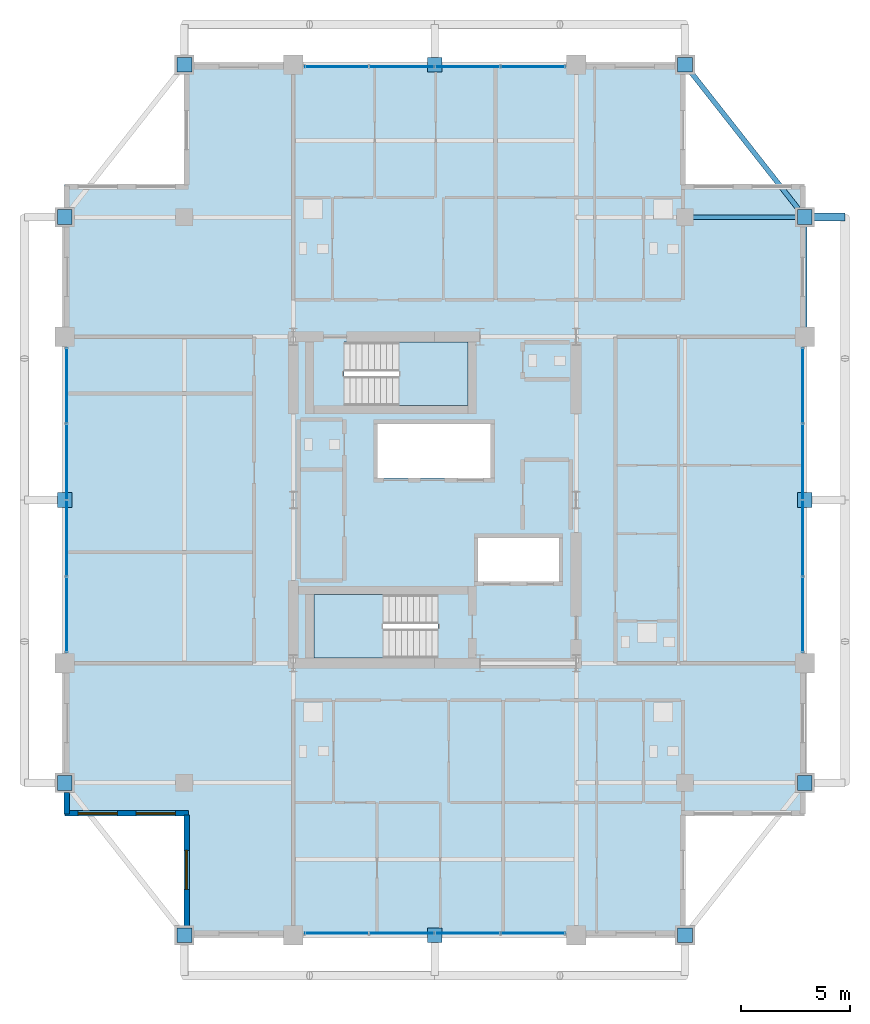
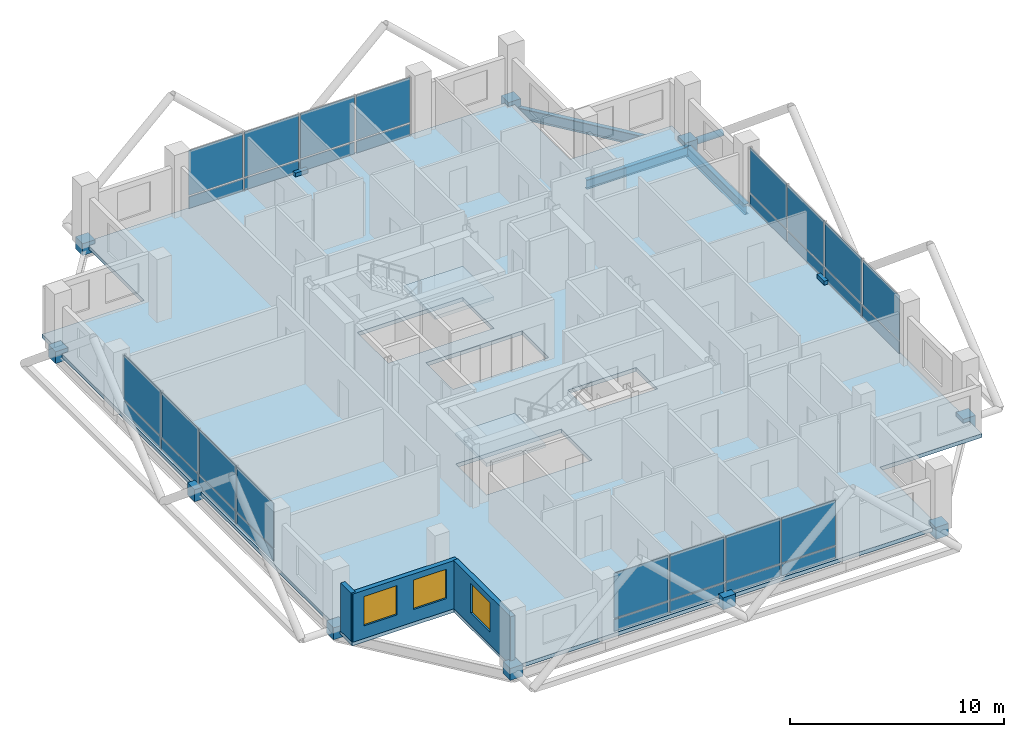
# One storey, part 18 of 24: 44 plates, 3 beams, 3 slabs, 3 walls, 3 windows, 1 member, 3 openings, 6 elements without a shape of their own.
"""IFC4 building model written with IfcOpenShell, lengths in metres."""

from ifc_helpers import new_model, si_unit, direction, frame, frame_2d, origin, origin_2d, place, context, subcontext, project, spatial, polyline, rectangle, hollow_circle, i_section, outline, extrude, material, layer, layer_set, material_profile, profile_set, type_object, element, fill, aggregate, save


model = new_model("IFC4")

# Units and contexts
model_context = context("Model", 3, precision=1e-05, world=origin(), true_north=direction((0.0, 1.0)))
body_context = subcontext(model_context, "Body", "Model", "MODEL_VIEW")
ifc_project = project(units=[si_unit("LENGTHUNIT", "METRE"), si_unit("AREAUNIT", "SQUARE_METRE"), si_unit("VOLUMEUNIT", "CUBIC_METRE"), si_unit("PLANEANGLEUNIT", "RADIAN"), si_unit("MASSUNIT", "GRAM", prefix="KILO")], contexts=[model_context])

# Site, building, storey
site_placement = place(None, origin())
site = spatial("IfcSite", under=ifc_project, at=site_placement, CompositionType="ELEMENT")
building_placement = place(site_placement, origin())
building = spatial("IfcBuilding", under=site, at=building_placement, Name="Barlavira Tower and Art Museum", CompositionType="ELEMENT")
storey_placement = place(building_placement, frame((0.0, 0.0, 240.300048828125)))
storey = spatial("IfcBuildingStorey", under=building, at=storey_placement, Name="L62", CompositionType="ELEMENT", Elevation=240.300048828125)

# Member
ifc_material_1 = material(Name="Steel S355", Category="steel")
ifc_material_profile_1 = material_profile(ifc_material_1, hollow_circle(Radius=0.177734375, WallThickness=0.01611328125, at=origin_2d()), Name="CHS 355.6x16.0")
ifc_profile_set_1 = profile_set([ifc_material_profile_1], Name="Steel S355")
member_type = type_object("IfcMemberType", Name="Pale-Metal Exoskeleton Tie Strut CHS 356x16 Steel S355", PredefinedType="STRUT", material=ifc_profile_set_1)
member_placement = place(storey_placement, frame((18.85009765625, 13.0, -0.1201171875), z_axis=(-1.0, 0.0, 0.0), x_axis=(0.0, -1.0, 0.0)))
element("IfcMember", 1, at=member_placement, inside=storey, type_object=member_type, Name="L62 Exoskeleton Tie Strut E3", PredefinedType="STRUT", context=body_context, shape_type="SweptSolid", body=[
    extrude(hollow_circle(Radius=0.177734375, WallThickness=0.01611328125, at=origin_2d()), origin(), (0.0, 0.0, 1.0), 1.85009765625),
])

# Beams
ifc_material_profile_2 = material_profile(ifc_material_1, i_section(OverallWidth=0.22998046875, OverallDepth=0.616943359375, WebThickness=0.01318359375, FlangeThickness=0.022216796875, at=origin_2d()), Name="W610x140.0")
ifc_profile_set_2 = profile_set([ifc_material_profile_2], Name="Steel S355")
beam_type_1 = type_object("IfcBeamType", Name="Upper Shaft Spandrel Edge Beam W610x140 Steel S355", PredefinedType="SPANDREL", material=ifc_profile_set_2)
beam_1_placement = place(storey_placement, frame((17.0, 7.5, -0.528564453125), z_axis=(0.0, 1.0, 0.0), x_axis=(-1.0, 0.0, 0.0)))
element("IfcBeam", 2, at=beam_1_placement, inside=storey, type_object=beam_type_1, Name="L62 Spandrel 7", PredefinedType="SPANDREL", context=body_context, shape_type="SweptSolid", body=[
    extrude(i_section(OverallWidth=0.22998046875, OverallDepth=0.616943359375, WebThickness=0.01318359375, FlangeThickness=0.022216796875, at=origin_2d()), origin(), (0.0, 0.0, 1.0), 5.5),
])
beam_2_placement = place(storey_placement, frame((17.0, 13.0, -0.528564453125), z_axis=(-0.617821551932, 0.786318338822, 0.0), x_axis=(-0.786318338822, -0.617821551932, 0.0)))
element("IfcBeam", 3, at=beam_2_placement, inside=storey, type_object=beam_type_1, Name="L62 Spandrel 8", PredefinedType="SPANDREL", context=body_context, shape_type="SweptSolid", body=[
    extrude(i_section(OverallWidth=0.22998046875, OverallDepth=0.616943359375, WebThickness=0.01318359375, FlangeThickness=0.022216796875, at=origin_2d()), origin(), (0.0, 0.0, 1.0), 8.90234375),
])
ifc_material_profile_3 = material_profile(ifc_material_1, i_section(OverallWidth=0.2109375, OverallDepth=0.5390625, WebThickness=0.01171875, FlangeThickness=0.018798828125, at=origin_2d()), Name="W530x109.0")
ifc_profile_set_3 = profile_set([ifc_material_profile_3], Name="Steel S355")
beam_type_2 = type_object("IfcBeamType", Name="Zone 3-4 Primary Floor Girder W530x109 Steel S355", PredefinedType="BEAM", material=ifc_profile_set_3)
beam_3_placement = place(storey_placement, frame((11.5, 13.0, -0.489501953125), z_axis=(1.0, 0.0, 0.0), x_axis=(0.0, 1.0, 0.0)))
element("IfcBeam", 4, at=beam_3_placement, inside=storey, type_object=beam_type_2, Name="L62 Girder I-N4", PredefinedType="BEAM", context=body_context, shape_type="SweptSolid", body=[
    extrude(i_section(OverallWidth=0.2109375, OverallDepth=0.5390625, WebThickness=0.01171875, FlangeThickness=0.018798828125, at=origin_2d()), origin(), (0.0, 0.0, 1.0), 5.5),
])

# Curtain wall, plates
ifc_material_2 = material(Name="Low-iron coastal laminated glass", Category="glass")
ifc_layer_1 = layer(ifc_material_2, 0.2099609375, Name="Low-iron coastal laminated glass")
ifc_layer_set_1 = layer_set([ifc_layer_1], Name="Low-iron coastal laminated glass")
curtain_wall_type = type_object("IfcCurtainWallType", Name="Pale-Metal Unitised Curtain Wall Zone 4", PredefinedType="NOTDEFINED", material=ifc_layer_set_1)
curtain_wall_1_placement = place(storey_placement, origin())
curtain_wall_1 = element("IfcCurtainWall", 5, at=curtain_wall_1_placement, inside=storey, type_object=curtain_wall_type, Name="L62 Curtain Wall CW4-L62-S-B2", PredefinedType="NOTDEFINED")
ifc_material_3 = material(Name="Pale anodised aluminium", Category="aluminium")
ifc_layer_2 = layer(ifc_material_3, 0.044921875, Name="Pale anodised aluminium")
ifc_layer_set_2 = layer_set([ifc_layer_2], Name="Pale anodised aluminium")
plate_type_1 = type_object("IfcPlateType", Name="Curtain Wall Pale-Metal Spandrel Panel 45", PredefinedType="CURTAIN_PANEL", material=ifc_layer_set_2)
plate_1_placement = place(storey_placement, frame((-4.5224609375, -19.89990234375, 0.0400390625), z_axis=(0.0, 0.0, 1.0), x_axis=(1.0, 0.0, 0.0)))
plate_1 = element("IfcPlate", 6, at=plate_1_placement, type_object=plate_type_1, Name="CW4-L62-S-B2 Spandrel Panel 0", PredefinedType="CURTAIN_PANEL", context=body_context, shape_type="SweptSolid", body=[
    extrude(rectangle(XDim=2.9150390625, YDim=0.044921875, at=origin_2d()), origin(), (0.0, 0.0, 1.0), 0.6640625),
])
plate_2_placement = place(storey_placement, frame((-1.507568359375, -19.89990234375, 0.0400390625), z_axis=(0.0, 0.0, 1.0), x_axis=(1.0, 0.0, 0.0)))
plate_2 = element("IfcPlate", 7, at=plate_2_placement, type_object=plate_type_1, Name="CW4-L62-S-B2 Spandrel Panel 1", PredefinedType="CURTAIN_PANEL", context=body_context, shape_type="SweptSolid", body=[
    extrude(rectangle(XDim=2.9150390625, YDim=0.044921875, at=origin_2d()), origin(), (0.0, 0.0, 1.0), 0.6640625),
])
plate_3_placement = place(storey_placement, frame((1.507568359375, -19.89990234375, 0.0400390625), z_axis=(0.0, 0.0, 1.0), x_axis=(1.0, 0.0, 0.0)))
plate_3 = element("IfcPlate", 8, at=plate_3_placement, type_object=plate_type_1, Name="CW4-L62-S-B2 Spandrel Panel 2", PredefinedType="CURTAIN_PANEL", context=body_context, shape_type="SweptSolid", body=[
    extrude(rectangle(XDim=2.9150390625, YDim=0.044921875, at=origin_2d()), origin(), (0.0, 0.0, 1.0), 0.6640625),
])
plate_4_placement = place(storey_placement, frame((4.5224609375, -19.89990234375, 0.0400390625), z_axis=(0.0, 0.0, 1.0), x_axis=(1.0, 0.0, 0.0)))
plate_4 = element("IfcPlate", 9, at=plate_4_placement, type_object=plate_type_1, Name="CW4-L62-S-B2 Spandrel Panel 3", PredefinedType="CURTAIN_PANEL", context=body_context, shape_type="SweptSolid", body=[
    extrude(rectangle(XDim=2.9150390625, YDim=0.044921875, at=origin_2d()), origin(), (0.0, 0.0, 1.0), 0.6640625),
])

curtain_wall_2_placement = place(storey_placement, origin())
curtain_wall_2 = element("IfcCurtainWall", 10, at=curtain_wall_2_placement, inside=storey, type_object=curtain_wall_type, Name="L62 Curtain Wall CW4-L62-N-B2", PredefinedType="NOTDEFINED")
plate_5_placement = place(storey_placement, frame((4.5224609375, 19.89990234375, 0.0400390625), z_axis=(0.0, 0.0, 1.0), x_axis=(-1.0, 0.0, 0.0)))
plate_5 = element("IfcPlate", 11, at=plate_5_placement, type_object=plate_type_1, Name="CW4-L62-N-B2 Spandrel Panel 0", PredefinedType="CURTAIN_PANEL", context=body_context, shape_type="SweptSolid", body=[
    extrude(rectangle(XDim=2.9150390625, YDim=0.044921875, at=origin_2d()), origin(), (0.0, 0.0, 1.0), 0.6640625),
])
plate_6_placement = place(storey_placement, frame((1.507568359375, 19.89990234375, 0.0400390625), z_axis=(0.0, 0.0, 1.0), x_axis=(-1.0, 0.0, 0.0)))
plate_6 = element("IfcPlate", 12, at=plate_6_placement, type_object=plate_type_1, Name="CW4-L62-N-B2 Spandrel Panel 1", PredefinedType="CURTAIN_PANEL", context=body_context, shape_type="SweptSolid", body=[
    extrude(rectangle(XDim=2.9150390625, YDim=0.044921875, at=origin_2d()), origin(), (0.0, 0.0, 1.0), 0.6640625),
])
plate_7_placement = place(storey_placement, frame((-1.507568359375, 19.89990234375, 0.0400390625), z_axis=(0.0, 0.0, 1.0), x_axis=(-1.0, 0.0, 0.0)))
plate_7 = element("IfcPlate", 13, at=plate_7_placement, type_object=plate_type_1, Name="CW4-L62-N-B2 Spandrel Panel 2", PredefinedType="CURTAIN_PANEL", context=body_context, shape_type="SweptSolid", body=[
    extrude(rectangle(XDim=2.9150390625, YDim=0.044921875, at=origin_2d()), origin(), (0.0, 0.0, 1.0), 0.6640625),
])
plate_8_placement = place(storey_placement, frame((-4.5224609375, 19.89990234375, 0.0400390625), z_axis=(0.0, 0.0, 1.0), x_axis=(-1.0, 0.0, 0.0)))
plate_8 = element("IfcPlate", 14, at=plate_8_placement, type_object=plate_type_1, Name="CW4-L62-N-B2 Spandrel Panel 3", PredefinedType="CURTAIN_PANEL", context=body_context, shape_type="SweptSolid", body=[
    extrude(rectangle(XDim=2.9150390625, YDim=0.044921875, at=origin_2d()), origin(), (0.0, 0.0, 1.0), 0.6640625),
])

curtain_wall_3_placement = place(storey_placement, origin())
curtain_wall_3 = element("IfcCurtainWall", 15, at=curtain_wall_3_placement, inside=storey, type_object=curtain_wall_type, Name="L62 Curtain Wall CW4-L62-W-B3", PredefinedType="NOTDEFINED")
plate_9_placement = place(storey_placement, frame((-16.89990234375, 5.2724609375, 0.0400390625), z_axis=(0.0, 0.0, 1.0), x_axis=(0.0, -1.0, 0.0)))
plate_9 = element("IfcPlate", 16, at=plate_9_placement, type_object=plate_type_1, Name="CW4-L62-W-B3 Spandrel Panel 0", PredefinedType="CURTAIN_PANEL", context=body_context, shape_type="SweptSolid", body=[
    extrude(rectangle(XDim=3.4150390625, YDim=0.044921875, at=origin_2d()), origin(), (0.0, 0.0, 1.0), 0.6640625),
])
plate_10_placement = place(storey_placement, frame((-16.89990234375, 1.757568359375, 0.0400390625), z_axis=(0.0, 0.0, 1.0), x_axis=(0.0, -1.0, 0.0)))
plate_10 = element("IfcPlate", 17, at=plate_10_placement, type_object=plate_type_1, Name="CW4-L62-W-B3 Spandrel Panel 1", PredefinedType="CURTAIN_PANEL", context=body_context, shape_type="SweptSolid", body=[
    extrude(rectangle(XDim=3.4150390625, YDim=0.044921875, at=origin_2d()), origin(), (0.0, 0.0, 1.0), 0.6640625),
])
plate_11_placement = place(storey_placement, frame((-16.89990234375, -1.757568359375, 0.0400390625), z_axis=(0.0, 0.0, 1.0), x_axis=(0.0, -1.0, 0.0)))
plate_11 = element("IfcPlate", 18, at=plate_11_placement, type_object=plate_type_1, Name="CW4-L62-W-B3 Spandrel Panel 2", PredefinedType="CURTAIN_PANEL", context=body_context, shape_type="SweptSolid", body=[
    extrude(rectangle(XDim=3.4150390625, YDim=0.044921875, at=origin_2d()), origin(), (0.0, 0.0, 1.0), 0.6640625),
])
plate_12_placement = place(storey_placement, frame((-16.89990234375, -5.2724609375, 0.0400390625), z_axis=(0.0, 0.0, 1.0), x_axis=(0.0, -1.0, 0.0)))
plate_12 = element("IfcPlate", 19, at=plate_12_placement, type_object=plate_type_1, Name="CW4-L62-W-B3 Spandrel Panel 3", PredefinedType="CURTAIN_PANEL", context=body_context, shape_type="SweptSolid", body=[
    extrude(rectangle(XDim=3.4150390625, YDim=0.044921875, at=origin_2d()), origin(), (0.0, 0.0, 1.0), 0.6640625),
])

curtain_wall_4_placement = place(storey_placement, origin())
curtain_wall_4 = element("IfcCurtainWall", 20, at=curtain_wall_4_placement, inside=storey, type_object=curtain_wall_type, Name="L62 Curtain Wall CW4-L62-E-B3", PredefinedType="NOTDEFINED")
plate_13_placement = place(storey_placement, frame((16.89990234375, -5.2724609375, 0.0400390625), z_axis=(0.0, 0.0, 1.0), x_axis=(0.0, 1.0, 0.0)))
plate_13 = element("IfcPlate", 21, at=plate_13_placement, type_object=plate_type_1, Name="CW4-L62-E-B3 Spandrel Panel 0", PredefinedType="CURTAIN_PANEL", context=body_context, shape_type="SweptSolid", body=[
    extrude(rectangle(XDim=3.4150390625, YDim=0.044921875, at=origin_2d()), origin(), (0.0, 0.0, 1.0), 0.6640625),
])
plate_14_placement = place(storey_placement, frame((16.89990234375, -1.757568359375, 0.0400390625), z_axis=(0.0, 0.0, 1.0), x_axis=(0.0, 1.0, 0.0)))
plate_14 = element("IfcPlate", 22, at=plate_14_placement, type_object=plate_type_1, Name="CW4-L62-E-B3 Spandrel Panel 1", PredefinedType="CURTAIN_PANEL", context=body_context, shape_type="SweptSolid", body=[
    extrude(rectangle(XDim=3.4150390625, YDim=0.044921875, at=origin_2d()), origin(), (0.0, 0.0, 1.0), 0.6640625),
])
plate_15_placement = place(storey_placement, frame((16.89990234375, 1.757568359375, 0.0400390625), z_axis=(0.0, 0.0, 1.0), x_axis=(0.0, 1.0, 0.0)))
plate_15 = element("IfcPlate", 23, at=plate_15_placement, type_object=plate_type_1, Name="CW4-L62-E-B3 Spandrel Panel 2", PredefinedType="CURTAIN_PANEL", context=body_context, shape_type="SweptSolid", body=[
    extrude(rectangle(XDim=3.4150390625, YDim=0.044921875, at=origin_2d()), origin(), (0.0, 0.0, 1.0), 0.6640625),
])
plate_16_placement = place(storey_placement, frame((16.89990234375, 5.2724609375, 0.0400390625), z_axis=(0.0, 0.0, 1.0), x_axis=(0.0, 1.0, 0.0)))
plate_16 = element("IfcPlate", 24, at=plate_16_placement, type_object=plate_type_1, Name="CW4-L62-E-B3 Spandrel Panel 3", PredefinedType="CURTAIN_PANEL", context=body_context, shape_type="SweptSolid", body=[
    extrude(rectangle(XDim=3.4150390625, YDim=0.044921875, at=origin_2d()), origin(), (0.0, 0.0, 1.0), 0.6640625),
])

# Plate
ifc_layer_3 = layer(ifc_material_2, 0.028076171875, Name="Low-iron coastal laminated glass")
ifc_layer_set_3 = layer_set([ifc_layer_3], Name="Low-iron coastal laminated glass")
plate_type_2 = type_object("IfcPlateType", Name="Curtain Wall Vision Glazing Panel 28", PredefinedType="CURTAIN_PANEL", material=ifc_layer_set_3)
plate_17_placement = place(storey_placement, frame((-4.5224609375, -19.89990234375, 0.7841796875), z_axis=(0.0, 0.0, 1.0), x_axis=(1.0, 0.0, 0.0)))
plate_17 = element("IfcPlate", 25, at=plate_17_placement, type_object=plate_type_2, Name="CW4-L62-S-B2 Vision Glass Panel 0", PredefinedType="CURTAIN_PANEL", context=body_context, shape_type="SweptSolid", body=[
    extrude(rectangle(XDim=2.9150390625, YDim=0.028076171875, at=origin_2d()), origin(), (0.0, 0.0, 1.0), 2.555908203125),
])

plate_18_placement = place(storey_placement, frame((-1.507568359375, -19.89990234375, 0.7841796875), z_axis=(0.0, 0.0, 1.0), x_axis=(1.0, 0.0, 0.0)))
plate_18 = element("IfcPlate", 26, at=plate_18_placement, type_object=plate_type_2, Name="CW4-L62-S-B2 Vision Glass Panel 1", PredefinedType="CURTAIN_PANEL", context=body_context, shape_type="SweptSolid", body=[
    extrude(rectangle(XDim=2.9150390625, YDim=0.028076171875, at=origin_2d()), origin(), (0.0, 0.0, 1.0), 2.555908203125),
])

plate_19_placement = place(storey_placement, frame((1.507568359375, -19.89990234375, 0.7841796875), z_axis=(0.0, 0.0, 1.0), x_axis=(1.0, 0.0, 0.0)))
plate_19 = element("IfcPlate", 27, at=plate_19_placement, type_object=plate_type_2, Name="CW4-L62-S-B2 Vision Glass Panel 2", PredefinedType="CURTAIN_PANEL", context=body_context, shape_type="SweptSolid", body=[
    extrude(rectangle(XDim=2.9150390625, YDim=0.028076171875, at=origin_2d()), origin(), (0.0, 0.0, 1.0), 2.555908203125),
])

plate_20_placement = place(storey_placement, frame((4.5224609375, -19.89990234375, 0.7841796875), z_axis=(0.0, 0.0, 1.0), x_axis=(1.0, 0.0, 0.0)))
plate_20 = element("IfcPlate", 28, at=plate_20_placement, type_object=plate_type_2, Name="CW4-L62-S-B2 Vision Glass Panel 3", PredefinedType="CURTAIN_PANEL", context=body_context, shape_type="SweptSolid", body=[
    extrude(rectangle(XDim=2.9150390625, YDim=0.028076171875, at=origin_2d()), origin(), (0.0, 0.0, 1.0), 2.555908203125),
])

aggregate(curtain_wall_1, [plate_1, plate_17, plate_2, plate_18, plate_3, plate_19, plate_4, plate_20])

plate_21_placement = place(storey_placement, frame((4.5224609375, 19.89990234375, 0.7841796875), z_axis=(0.0, 0.0, 1.0), x_axis=(-1.0, 0.0, 0.0)))
plate_21 = element("IfcPlate", 29, at=plate_21_placement, type_object=plate_type_2, Name="CW4-L62-N-B2 Vision Glass Panel 0", PredefinedType="CURTAIN_PANEL", context=body_context, shape_type="SweptSolid", body=[
    extrude(rectangle(XDim=2.9150390625, YDim=0.028076171875, at=origin_2d()), origin(), (0.0, 0.0, 1.0), 2.555908203125),
])

plate_22_placement = place(storey_placement, frame((1.507568359375, 19.89990234375, 0.7841796875), z_axis=(0.0, 0.0, 1.0), x_axis=(-1.0, 0.0, 0.0)))
plate_22 = element("IfcPlate", 30, at=plate_22_placement, type_object=plate_type_2, Name="CW4-L62-N-B2 Vision Glass Panel 1", PredefinedType="CURTAIN_PANEL", context=body_context, shape_type="SweptSolid", body=[
    extrude(rectangle(XDim=2.9150390625, YDim=0.028076171875, at=origin_2d()), origin(), (0.0, 0.0, 1.0), 2.555908203125),
])

plate_23_placement = place(storey_placement, frame((-1.507568359375, 19.89990234375, 0.7841796875), z_axis=(0.0, 0.0, 1.0), x_axis=(-1.0, 0.0, 0.0)))
plate_23 = element("IfcPlate", 31, at=plate_23_placement, type_object=plate_type_2, Name="CW4-L62-N-B2 Vision Glass Panel 2", PredefinedType="CURTAIN_PANEL", context=body_context, shape_type="SweptSolid", body=[
    extrude(rectangle(XDim=2.9150390625, YDim=0.028076171875, at=origin_2d()), origin(), (0.0, 0.0, 1.0), 2.555908203125),
])

plate_24_placement = place(storey_placement, frame((-4.5224609375, 19.89990234375, 0.7841796875), z_axis=(0.0, 0.0, 1.0), x_axis=(-1.0, 0.0, 0.0)))
plate_24 = element("IfcPlate", 32, at=plate_24_placement, type_object=plate_type_2, Name="CW4-L62-N-B2 Vision Glass Panel 3", PredefinedType="CURTAIN_PANEL", context=body_context, shape_type="SweptSolid", body=[
    extrude(rectangle(XDim=2.9150390625, YDim=0.028076171875, at=origin_2d()), origin(), (0.0, 0.0, 1.0), 2.555908203125),
])

aggregate(curtain_wall_2, [plate_5, plate_21, plate_6, plate_22, plate_7, plate_23, plate_8, plate_24])

plate_25_placement = place(storey_placement, frame((-16.89990234375, 5.2724609375, 0.7841796875), z_axis=(0.0, 0.0, 1.0), x_axis=(0.0, -1.0, 0.0)))
plate_25 = element("IfcPlate", 33, at=plate_25_placement, type_object=plate_type_2, Name="CW4-L62-W-B3 Vision Glass Panel 0", PredefinedType="CURTAIN_PANEL", context=body_context, shape_type="SweptSolid", body=[
    extrude(rectangle(XDim=3.4150390625, YDim=0.028076171875, at=origin_2d()), origin(), (0.0, 0.0, 1.0), 2.555908203125),
])

plate_26_placement = place(storey_placement, frame((-16.89990234375, 1.757568359375, 0.7841796875), z_axis=(0.0, 0.0, 1.0), x_axis=(0.0, -1.0, 0.0)))
plate_26 = element("IfcPlate", 34, at=plate_26_placement, type_object=plate_type_2, Name="CW4-L62-W-B3 Vision Glass Panel 1", PredefinedType="CURTAIN_PANEL", context=body_context, shape_type="SweptSolid", body=[
    extrude(rectangle(XDim=3.4150390625, YDim=0.028076171875, at=origin_2d()), origin(), (0.0, 0.0, 1.0), 2.555908203125),
])

plate_27_placement = place(storey_placement, frame((-16.89990234375, -1.757568359375, 0.7841796875), z_axis=(0.0, 0.0, 1.0), x_axis=(0.0, -1.0, 0.0)))
plate_27 = element("IfcPlate", 35, at=plate_27_placement, type_object=plate_type_2, Name="CW4-L62-W-B3 Vision Glass Panel 2", PredefinedType="CURTAIN_PANEL", context=body_context, shape_type="SweptSolid", body=[
    extrude(rectangle(XDim=3.4150390625, YDim=0.028076171875, at=origin_2d()), origin(), (0.0, 0.0, 1.0), 2.555908203125),
])

plate_28_placement = place(storey_placement, frame((-16.89990234375, -5.2724609375, 0.7841796875), z_axis=(0.0, 0.0, 1.0), x_axis=(0.0, -1.0, 0.0)))
plate_28 = element("IfcPlate", 36, at=plate_28_placement, type_object=plate_type_2, Name="CW4-L62-W-B3 Vision Glass Panel 3", PredefinedType="CURTAIN_PANEL", context=body_context, shape_type="SweptSolid", body=[
    extrude(rectangle(XDim=3.4150390625, YDim=0.028076171875, at=origin_2d()), origin(), (0.0, 0.0, 1.0), 2.555908203125),
])

aggregate(curtain_wall_3, [plate_9, plate_25, plate_10, plate_26, plate_11, plate_27, plate_12, plate_28])

plate_29_placement = place(storey_placement, frame((16.89990234375, -5.2724609375, 0.7841796875), z_axis=(0.0, 0.0, 1.0), x_axis=(0.0, 1.0, 0.0)))
plate_29 = element("IfcPlate", 37, at=plate_29_placement, type_object=plate_type_2, Name="CW4-L62-E-B3 Vision Glass Panel 0", PredefinedType="CURTAIN_PANEL", context=body_context, shape_type="SweptSolid", body=[
    extrude(rectangle(XDim=3.4150390625, YDim=0.028076171875, at=origin_2d()), origin(), (0.0, 0.0, 1.0), 2.555908203125),
])

plate_30_placement = place(storey_placement, frame((16.89990234375, -1.757568359375, 0.7841796875), z_axis=(0.0, 0.0, 1.0), x_axis=(0.0, 1.0, 0.0)))
plate_30 = element("IfcPlate", 38, at=plate_30_placement, type_object=plate_type_2, Name="CW4-L62-E-B3 Vision Glass Panel 1", PredefinedType="CURTAIN_PANEL", context=body_context, shape_type="SweptSolid", body=[
    extrude(rectangle(XDim=3.4150390625, YDim=0.028076171875, at=origin_2d()), origin(), (0.0, 0.0, 1.0), 2.555908203125),
])

plate_31_placement = place(storey_placement, frame((16.89990234375, 1.757568359375, 0.7841796875), z_axis=(0.0, 0.0, 1.0), x_axis=(0.0, 1.0, 0.0)))
plate_31 = element("IfcPlate", 39, at=plate_31_placement, type_object=plate_type_2, Name="CW4-L62-E-B3 Vision Glass Panel 2", PredefinedType="CURTAIN_PANEL", context=body_context, shape_type="SweptSolid", body=[
    extrude(rectangle(XDim=3.4150390625, YDim=0.028076171875, at=origin_2d()), origin(), (0.0, 0.0, 1.0), 2.555908203125),
])

plate_32_placement = place(storey_placement, frame((16.89990234375, 5.2724609375, 0.7841796875), z_axis=(0.0, 0.0, 1.0), x_axis=(0.0, 1.0, 0.0)))
plate_32 = element("IfcPlate", 40, at=plate_32_placement, type_object=plate_type_2, Name="CW4-L62-E-B3 Vision Glass Panel 3", PredefinedType="CURTAIN_PANEL", context=body_context, shape_type="SweptSolid", body=[
    extrude(rectangle(XDim=3.4150390625, YDim=0.028076171875, at=origin_2d()), origin(), (0.0, 0.0, 1.0), 2.555908203125),
])

aggregate(curtain_wall_4, [plate_13, plate_29, plate_14, plate_30, plate_15, plate_31, plate_16, plate_32])

# Plates
ifc_layer_4 = layer(ifc_material_1, 0.679931640625, Name="Steel S355")
ifc_layer_set_4 = layer_set([ifc_layer_4], Name="Steel S355")
plate_type_3 = type_object("IfcPlateType", Name="Exoskeleton Tie-Back Solid Cap Plate Assembly Type 5 Steel S355", PredefinedType="USERDEFINED", material=ifc_layer_set_4)
for number, where, z_axis, x_axis, name in (
    (41, (-11.5, -20.0, -0.4599609375), (0.0, 0.0, 1.0), (1.0, 0.0, 0.0), "Slab Edge Tie Cap Plate S1 ND-L62-0706"),
    (42, (0.0, -20.0, -0.4599609375), (0.0, 0.0, 1.0), (1.0, 0.0, 0.0), "Slab Edge Tie Cap Plate S2 ND-L62-0707"),
    (43, (11.5, -20.0, -0.4599609375), (0.0, 0.0, 1.0), (1.0, 0.0, 0.0), "Slab Edge Tie Cap Plate S3 ND-L62-0708"),
    (44, (-11.5, 20.0, -0.4599609375), (0.0, 0.0, 1.0), (1.0, 0.0, 0.0), "Slab Edge Tie Cap Plate N1 ND-L62-0714"),
    (45, (0.0, 20.0, -0.4599609375), (0.0, 0.0, 1.0), (1.0, 0.0, 0.0), "Slab Edge Tie Cap Plate N2 ND-L62-0715"),
    (46, (11.5, 20.0, -0.4599609375), (0.0, 0.0, 1.0), (1.0, 0.0, 0.0), "Slab Edge Tie Cap Plate N3 ND-L62-0716"),
    (47, (-17.0, -13.0, -0.4599609375), (0.0, 0.0, 1.0), (1.0, 0.0, 0.0), "Slab Edge Tie Cap Plate W1 ND-L62-0722"),
    (48, (-17.0, 0.0, -0.4599609375), (0.0, 0.0, 1.0), (1.0, 0.0, 0.0), "Slab Edge Tie Cap Plate W2 ND-L62-0723"),
    (49, (-17.0, 13.0, -0.4599609375), (0.0, 0.0, 1.0), (1.0, 0.0, 0.0), "Slab Edge Tie Cap Plate W3 ND-L62-0724"),
    (50, (17.0, -13.0, -0.4599609375), (0.0, 0.0, 1.0), (1.0, 0.0, 0.0), "Slab Edge Tie Cap Plate E1 ND-L62-0730"),
    (51, (17.0, 0.0, -0.4599609375), (0.0, 0.0, 1.0), (1.0, 0.0, 0.0), "Slab Edge Tie Cap Plate E2 ND-L62-0731"),
    (52, (17.0, 13.0, -0.4599609375), (0.0, 0.0, 1.0), (1.0, 0.0, 0.0), "Slab Edge Tie Cap Plate E3 ND-L62-0732"),
):
    element("IfcPlate", number, at=place(storey_placement, frame(where, z_axis=z_axis, x_axis=x_axis)), inside=storey, type_object=plate_type_3, Name=name, ObjectType="FLANGE_PLATE", PredefinedType="USERDEFINED", context=body_context, shape_type="SweptSolid", body=[
        extrude(rectangle(XDim=0.679931640625, YDim=0.679931640625, at=origin_2d()), origin(), (0.0, 0.0, 1.0), 0.679931640625),
    ])

# Stair, slab
ifc_material_4 = material(Name="Concrete C45", Category="concrete")
stair_type_1 = type_object("IfcStairType", Name="Tower North Dog-Leg Exit Stair Assembly Concrete C45", PredefinedType="TWO_QUARTER_TURN_STAIR", material=ifc_material_4)
stair_1_placement = place(storey_placement, origin())
stair_1 = element("IfcStair", 53, at=stair_1_placement, inside=storey, type_object=stair_type_1, Name="L62 Tower North Exit Stair ST-T2", PredefinedType="TWO_QUARTER_TURN_STAIR")
ifc_layer_5 = layer(ifc_material_4, 0.199951171875, Name="Concrete C45")
ifc_layer_set_5 = layer_set([ifc_layer_5], Name="Concrete C45")
slab_type_1 = type_object("IfcSlabType", Name="Tower North Dog-Leg Exit Stair Half-Landing Slab 200 Concrete C45", PredefinedType="LANDING", material=ifc_layer_set_5)
slab_1_placement = place(storey_placement, frame((0.0, 0.0, 1.599853515625)))
slab_1 = element("IfcSlab", 54, at=slab_1_placement, type_object=slab_type_1, Name="ST-T2 landing 1", PredefinedType="LANDING", context=body_context, shape_type="SweptSolid", body=[
    extrude(outline(polyline([(-1.64990234375, 4.35009765625), (1.530029296875, 4.35009765625), (1.530029296875, 7.25), (-1.64990234375, 7.25), (-1.64990234375, 4.35009765625)])), origin(), (0.0, 0.0, 1.0), 0.2001953125),
])
aggregate(stair_1, [slab_1])

stair_type_2 = type_object("IfcStairType", Name="Tower South Dog-Leg Exit Stair Assembly Concrete C45", PredefinedType="TWO_QUARTER_TURN_STAIR", material=ifc_material_4)
stair_2_placement = place(storey_placement, origin())
stair_2 = element("IfcStair", 55, at=stair_2_placement, inside=storey, type_object=stair_type_2, Name="L62 Tower South Exit Stair ST-T1", PredefinedType="TWO_QUARTER_TURN_STAIR")
ifc_layer_6 = layer(ifc_material_4, 0.199951171875, Name="Concrete C45")
ifc_layer_set_6 = layer_set([ifc_layer_6], Name="Concrete C45")
slab_type_2 = type_object("IfcSlabType", Name="Tower South Dog-Leg Exit Stair Half-Landing Slab 200 Concrete C45", PredefinedType="LANDING", material=ifc_layer_set_6)
slab_2_placement = place(storey_placement, frame((0.0, 0.0, 1.599853515625)))
slab_2 = element("IfcSlab", 56, at=slab_2_placement, type_object=slab_type_2, Name="ST-T1 landing 1", PredefinedType="LANDING", context=body_context, shape_type="SweptSolid", body=[
    extrude(outline(polyline([(-2.3701171875, -4.35009765625), (-5.550048828125, -4.35009765625), (-5.550048828125, -7.25), (-2.3701171875, -7.25), (-2.3701171875, -4.35009765625)])), origin(), (0.0, 0.0, 1.0), 0.2001953125),
])
aggregate(stair_2, [slab_2])

# Slab
ifc_material_5 = material(Name="Concrete C50", Category="concrete")
ifc_layer_7 = layer(ifc_material_5, 0.18994140625, Name="Concrete C50")
ifc_layer_set_7 = layer_set([ifc_layer_7], Name="Concrete C50")
slab_type_3 = type_object("IfcSlabType", Name="Zone 4 Residential Composite Slab 190 Concrete C50", PredefinedType="FLOOR", material=ifc_layer_set_7)
slab_3_placement = place(storey_placement, frame((0.0, 0.0, -0.219970703125)))
element("IfcSlab", 57, at=slab_3_placement, inside=storey, type_object=slab_type_3, Name="L62 Tower Floor Slab", PredefinedType="FLOOR", context=body_context, shape_type="SweptSolid", body=[
    extrude(outline(polyline([(-11.5, -20.0), (11.5, -20.0), (11.5, -14.5), (17.0, -14.5), (17.0, 14.5), (11.5, 14.5), (11.5, 20.0), (-11.5, 20.0), (-11.5, 14.5), (-17.0, 14.5), (-17.0, -14.5), (-11.5, -14.5), (-11.5, -20.0)]), holes=[polyline([(0.14990234375, -4.35009765625), (-5.550048828125, -4.35009765625), (-5.550048828125, -7.25), (0.14990234375, -7.25), (0.14990234375, -4.35009765625)]), polyline([(-4.169921875, 4.35009765625), (1.530029296875, 4.35009765625), (1.530029296875, 7.25), (-4.169921875, 7.25), (-4.169921875, 4.35009765625)]), polyline([(-2.6201171875, 1.0), (2.56005859375, 1.0), (2.56005859375, 3.5), (-2.6201171875, 3.5), (-2.6201171875, 1.0)]), polyline([(2.0, -3.75), (5.699951171875, -3.75), (5.699951171875, -1.75), (2.0, -1.75), (2.0, -3.75)])]), origin(), (0.0, 0.0, 1.0), 0.219970703125),
])

# Wall
ifc_material_6 = material(Name="Precast concrete C40", Category="concrete")
ifc_layer_8 = layer(ifc_material_6, 0.25, Name="Precast concrete C40")
ifc_layer_set_8 = layer_set([ifc_layer_8], Name="Precast concrete C40")
wall_type = type_object("IfcWallType", Name="Notched Corner Spandrel Wall 250 Precast Concrete C40", PredefinedType="SOLIDWALL", material=ifc_layer_set_8)
wall_1_placement = place(storey_placement, frame((-16.89990234375, -13.445068359375, 0.0), z_axis=(0.0, 0.0, 1.0), x_axis=(0.0, -1.0, 0.0)))
element("IfcWall", 58, at=wall_1_placement, inside=storey, type_object=wall_type, Name="L62 Coastal Facade Pier Wall CW4-L62-W-5", PredefinedType="SOLIDWALL", context=body_context, shape_type="SweptSolid", body=[
    extrude(rectangle(XDim=0.97998046875, YDim=0.25, at=frame_2d((0.489990234375, 0.0))), origin(), (0.0, 0.0, 1.0), 2.748046875),
])

# Wall, openings, windows
wall_2_placement = place(storey_placement, frame((-16.97998046875, -14.39990234375, 0.0), z_axis=(0.0, 0.0, 1.0), x_axis=(1.0, 0.0, 0.0)))
wall_2 = element("IfcWall", 59, at=wall_2_placement, inside=storey, type_object=wall_type, Name="L62 Notch Corner Wall SW1", PredefinedType="SOLIDWALL", context=body_context, shape_type="SweptSolid", body=[
    extrude(rectangle(XDim=5.659912109375, YDim=0.25, at=frame_2d((2.830078125, 0.0))), origin(), (0.0, 0.0, 1.0), 2.748046875),
])
opening_1_placement = place(wall_2_placement, frame((0.594970703125, 0.0, 0.719970703125)))
opening_1 = element("IfcOpeningElement", 60, at=opening_1_placement, cuts=wall_2, Name="Opening WN-01", PredefinedType="OPENING", context=body_context, shape_type="SweptSolid", body=[
    extrude(rectangle(XDim=1.800048828125, YDim=1.679931640625, at=frame_2d((0.89990234375, 0.83984375))), frame((0.0, 0.135009765625, 0.0), z_axis=(0.0, -1.0, 0.0), x_axis=(1.0, 0.0, 0.0)), (0.0, 0.0, 1.0), 0.27001953125),
])
opening_2_placement = place(wall_2_placement, frame((3.264892578125, 0.0, 0.719970703125)))
opening_2 = element("IfcOpeningElement", 61, at=opening_2_placement, cuts=wall_2, Name="Opening WN-01", PredefinedType="OPENING", context=body_context, shape_type="SweptSolid", body=[
    extrude(rectangle(XDim=1.800048828125, YDim=1.679931640625, at=frame_2d((0.89990234375, 0.83984375))), frame((0.0, 0.135009765625, 0.0), z_axis=(0.0, -1.0, 0.0), x_axis=(1.0, 0.0, 0.0)), (0.0, 0.0, 1.0), 0.27001953125),
])
window_type = type_object("IfcWindowType", Name="Recessed Notch Corner Punch Window 1800x1680", PartitioningType="SINGLE_PANEL", PredefinedType="WINDOW", material=ifc_material_2)
window_1_placement = place(opening_1_placement, origin())
window_1 = element("IfcWindow", 62, at=window_1_placement, inside=storey, type_object=window_type, Name="L62 Punched Facade Window EW-NTC-L62-SW1-1", OverallHeight=1.679931640625, OverallWidth=1.800048828125, PartitioningType="SINGLE_PANEL", PredefinedType="WINDOW", context=body_context, shape_type="SweptSolid", body=[
    extrude(rectangle(XDim=1.800048828125, YDim=1.679931640625, at=frame_2d((0.89990234375, 0.83984375))), frame((0.0, 0.030029296875, 0.0), z_axis=(0.0, -1.0, 0.0), x_axis=(1.0, 0.0, 0.0)), (0.0, 0.0, 1.0), 0.06005859375),
])
fill(opening_1, window_1)
window_2_placement = place(opening_2_placement, origin())
window_2 = element("IfcWindow", 63, at=window_2_placement, inside=storey, type_object=window_type, Name="L62 Punched Facade Window EW-NTC-L62-SW1-2", OverallHeight=1.679931640625, OverallWidth=1.800048828125, PartitioningType="SINGLE_PANEL", PredefinedType="WINDOW", context=body_context, shape_type="SweptSolid", body=[
    extrude(rectangle(XDim=1.800048828125, YDim=1.679931640625, at=frame_2d((0.89990234375, 0.83984375))), frame((0.0, 0.030029296875, 0.0), z_axis=(0.0, -1.0, 0.0), x_axis=(1.0, 0.0, 0.0)), (0.0, 0.0, 1.0), 0.06005859375),
])
fill(opening_2, window_2)

# Wall, opening, window
wall_3_placement = place(storey_placement, frame((-11.39990234375, -14.47998046875, 0.0), z_axis=(0.0, 0.0, 1.0), x_axis=(0.0, -1.0, 0.0)))
wall_3 = element("IfcWall", 64, at=wall_3_placement, inside=storey, type_object=wall_type, Name="L62 Notch Corner Wall SW2", PredefinedType="SOLIDWALL", context=body_context, shape_type="SweptSolid", body=[
    extrude(rectangle(XDim=5.340087890625, YDim=0.25, at=frame_2d((2.669921875, 0.0))), origin(), (0.0, 0.0, 1.0), 2.748046875),
])
opening_3_placement = place(wall_3_placement, frame((1.614990234375, 0.0, 0.719970703125)))
opening_3 = element("IfcOpeningElement", 65, at=opening_3_placement, cuts=wall_3, Name="Opening WN-01", PredefinedType="OPENING", context=body_context, shape_type="SweptSolid", body=[
    extrude(rectangle(XDim=1.800048828125, YDim=1.679931640625, at=frame_2d((0.89990234375, 0.83984375))), frame((0.0, 0.135009765625, 0.0), z_axis=(0.0, -1.0, 0.0), x_axis=(1.0, 0.0, 0.0)), (0.0, 0.0, 1.0), 0.27001953125),
])
window_3_placement = place(opening_3_placement, origin())
window_3 = element("IfcWindow", 66, at=window_3_placement, inside=storey, type_object=window_type, Name="L62 Punched Facade Window EW-NTC-L62-SW2-1", OverallHeight=1.679931640625, OverallWidth=1.800048828125, PartitioningType="SINGLE_PANEL", PredefinedType="WINDOW", context=body_context, shape_type="SweptSolid", body=[
    extrude(rectangle(XDim=1.800048828125, YDim=1.679931640625, at=frame_2d((0.89990234375, 0.83984375))), frame((0.0, 0.030029296875, 0.0), z_axis=(0.0, -1.0, 0.0), x_axis=(1.0, 0.0, 0.0)), (0.0, 0.0, 1.0), 0.06005859375),
])
fill(opening_3, window_3)

save(model, "model.ifc")
